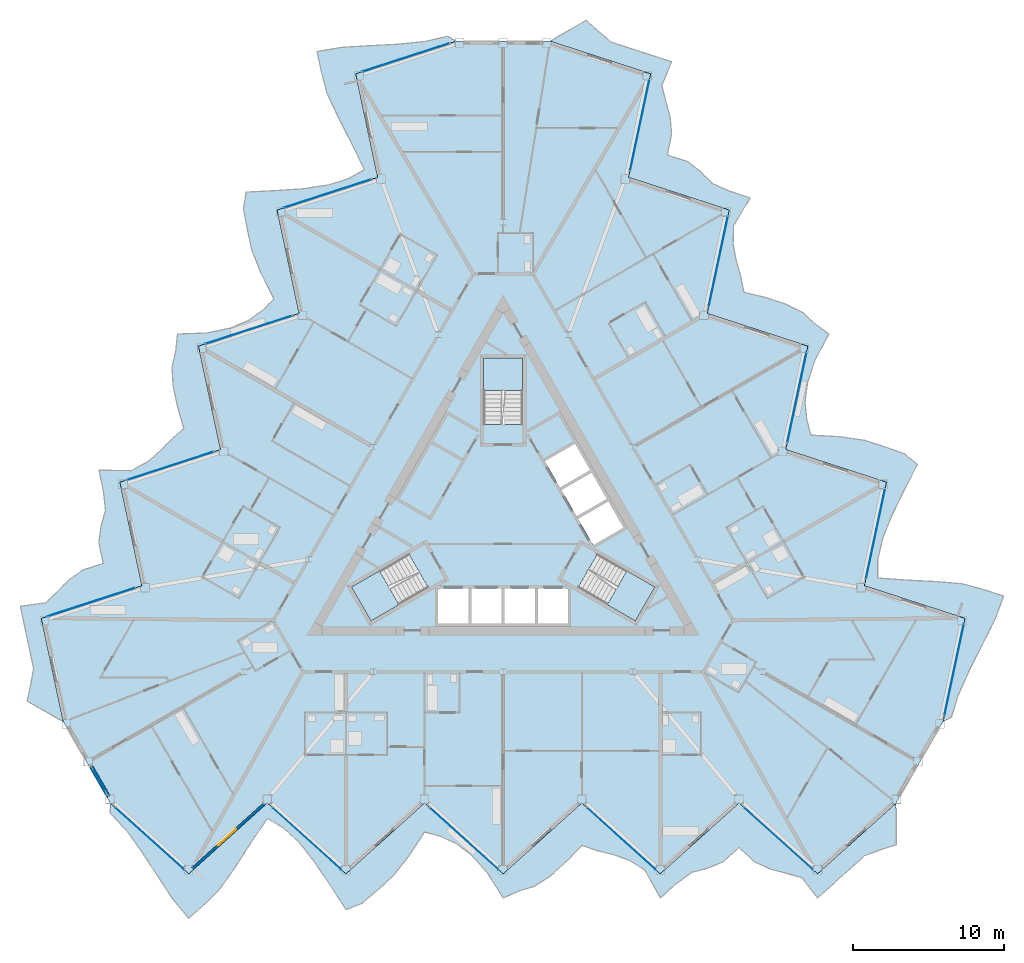
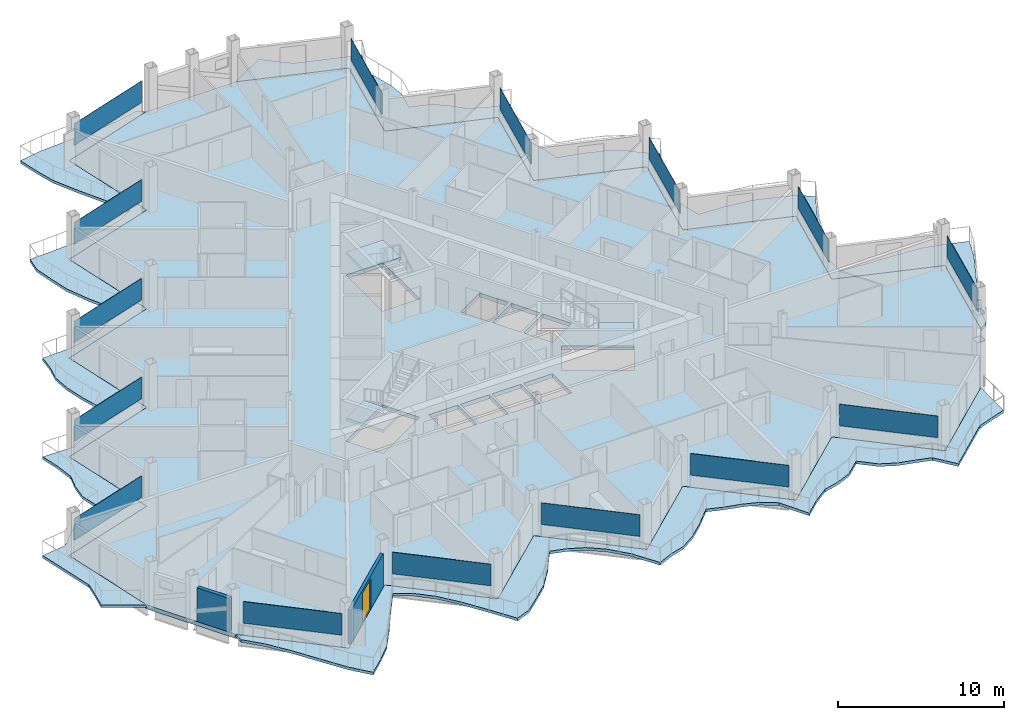
# One storey, part 12 of 27: 15 plates, 7 slabs, 2 walls, 1 door, 1 opening, 18 elements without a shape of their own.
"""IFC4 building model written with IfcOpenShell, lengths in metres."""

from ifc_helpers import new_model, si_unit, direction, frame, frame_2d, origin, origin_2d, place, context, subcontext, project, spatial, polyline, rectangle, outline, extrude, material, layer, layer_set, type_object, element, fill, aggregate, save


model = new_model("IFC4")

# Units and contexts
model_context = context("Model", 3, precision=1e-05, world=origin(), true_north=direction((0.0, 1.0)))
body_context = subcontext(model_context, "Body", "Model", "MODEL_VIEW")
ifc_project = project(units=[si_unit("LENGTHUNIT", "METRE"), si_unit("AREAUNIT", "SQUARE_METRE"), si_unit("VOLUMEUNIT", "CUBIC_METRE"), si_unit("PLANEANGLEUNIT", "RADIAN"), si_unit("MASSUNIT", "GRAM", prefix="KILO")], contexts=[model_context])

# Site, building, storey
site_placement = place(None, origin())
site = spatial("IfcSite", under=ifc_project, at=site_placement, CompositionType="ELEMENT")
building_placement = place(site_placement, origin())
building = spatial("IfcBuilding", under=site, at=building_placement, Name="Cormorant Prow Tower", CompositionType="ELEMENT")
storey_placement = place(building_placement, frame((0.0, 0.0, 332.39990234375)))
storey = spatial("IfcBuildingStorey", under=building, at=storey_placement, Name="L74", CompositionType="ELEMENT", Elevation=332.39990234375)

# Slabs
ifc_material_1 = material(Name="Concrete C40/50", Category="concrete")
ifc_layer_1 = layer(ifc_material_1, 0.199951171875)
ifc_layer_set_1 = layer_set([ifc_layer_1], Name="Concrete C40/50")
slab_type_1 = type_object("IfcSlabType", Name="Balcony slab 200", PredefinedType="FLOOR", material=ifc_layer_set_1)
slab_1_placement = place(storey_placement, frame((0.0, 0.0, -0.199951171875)))
element("IfcSlab", 1, at=slab_1_placement, inside=storey, type_object=slab_type_1, Name="Balcony slab S L74", PredefinedType="FLOOR", context=body_context, shape_type="SweptSolid", body=[
    extrude(outline(polyline([(-25.9814453125, -18.577880859375), (-25.9814453125, -19.227783203125), (-24.942138671875, -20.347412109375), (-23.90283203125, -21.780517578125), (-22.863525390625, -23.380859375), (-21.824462890625, -24.953125), (-20.78515625, -26.20654296875), (-19.745849609375, -25.270751953125), (-18.70654296875, -24.239013671875), (-17.667236328125, -22.7412109375), (-16.628173828125, -21.12841796875), (-15.5888671875, -19.599365234375), (-14.549560546875, -20.199951171875), (-13.51025390625, -21.15771484375), (-12.470947265625, -22.4658203125), (-11.431884765625, -24.0146484375), (-10.392578125, -25.624267578125), (-9.353271484375, -25.224853515625), (-8.31396484375, -24.3349609375), (-7.27490234375, -23.399169921875), (-6.235595703125, -22.078857421875), (-5.1962890625, -20.492919921875), (-4.156982421875, -20.774169921875), (-3.11767578125, -21.2431640625), (-2.07861328125, -22.03759765625), (-1.039306640625, -23.198974609375), (0.0, -24.8564453125), (1.039306640625, -24.396728515625), (2.07861328125, -24.0810546875), (3.11767578125, -23.399169921875), (4.156982421875, -22.463623046875), (5.1962890625, -21.377685546875), (6.235595703125, -21.728271484375), (7.27490234375, -21.986083984375), (8.31396484375, -22.35107421875), (9.353271484375, -22.990478515625), (10.392578125, -24.8564453125), (11.431884765625, -23.9208984375), (12.470947265625, -23.158935546875), (13.51025390625, -22.890869140625), (14.549560546875, -22.463623046875), (15.5888671875, -21.52783203125), (16.628173828125, -22.463623046875), (17.667236328125, -22.945068359375), (18.70654296875, -23.219482421875), (19.745849609375, -23.513427734375), (20.78515625, -24.8564453125), (21.824462890625, -23.9208984375), (22.863525390625, -22.985107421875), (23.90283203125, -22.04931640625), (24.942138671875, -21.669189453125), (25.9814453125, -21.33447265625), (25.9814453125, -18.577880859375), (24.942138671875, -19.513427734375), (23.90283203125, -20.44921875), (22.863525390625, -21.385009765625), (21.824462890625, -22.32080078125), (20.78515625, -23.256591796875), (19.745849609375, -22.32080078125), (18.70654296875, -21.385009765625), (17.667236328125, -20.44921875), (16.628173828125, -19.513427734375), (15.5888671875, -18.577880859375), (14.549560546875, -19.513427734375), (13.51025390625, -20.44921875), (12.470947265625, -21.385009765625), (11.431884765625, -22.32080078125), (10.392578125, -23.256591796875), (9.353271484375, -22.32080078125), (8.31396484375, -21.385009765625), (7.27490234375, -20.44921875), (6.235595703125, -19.513427734375), (5.1962890625, -18.577880859375), (4.156982421875, -19.513427734375), (3.11767578125, -20.44921875), (2.07861328125, -21.385009765625), (1.039306640625, -22.32080078125), (0.0, -23.256591796875), (-1.039306640625, -22.32080078125), (-2.07861328125, -21.385009765625), (-3.11767578125, -20.44921875), (-4.156982421875, -19.513427734375), (-5.1962890625, -18.577880859375), (-6.235595703125, -19.513427734375), (-7.27490234375, -20.44921875), (-8.31396484375, -21.385009765625), (-9.353271484375, -22.32080078125), (-10.392578125, -23.256591796875), (-11.431884765625, -22.32080078125), (-12.470947265625, -21.385009765625), (-13.51025390625, -20.44921875), (-14.549560546875, -19.513427734375), (-15.5888671875, -18.577880859375), (-16.628173828125, -19.513427734375), (-17.667236328125, -20.44921875), (-18.70654296875, -21.385009765625), (-19.745849609375, -22.32080078125), (-20.78515625, -23.256591796875), (-21.824462890625, -22.32080078125), (-22.863525390625, -21.385009765625), (-23.90283203125, -20.44921875), (-24.942138671875, -19.513427734375), (-25.9814453125, -18.577880859375)])), origin(), (0.0, 0.0, 1.0), 0.199951171875),
])
slab_2_placement = place(storey_placement, frame((0.0, 0.0, -0.199951171875)))
element("IfcSlab", 2, at=slab_2_placement, inside=storey, type_object=slab_type_1, Name="Balcony slab ENE L74", PredefinedType="FLOOR", context=body_context, shape_type="SweptSolid", body=[
    extrude(outline(polyline([(29.07958984375, -13.211669921875), (29.642333984375, -12.88671875), (30.09228515625, -11.4267578125), (30.81396484375, -9.810302734375), (31.68017578125, -8.110107421875), (32.522216796875, -6.423828125), (33.088134765625, -4.897216796875), (31.758056640625, -4.465087890625), (30.344970703125, -4.080810546875), (28.5283203125, -3.9296875), (26.61181640625, -3.836181640625), (24.767822265625, -3.70068359375), (24.7685546875, -2.500244140625), (25.078369140625, -1.121337890625), (25.69140625, 0.4326171875), (26.51318359375, 2.107177734375), (27.3876953125, 3.81201171875), (26.52197265625, 4.51220703125), (25.231689453125, 4.96728515625), (23.90185546875, 5.3994140625), (22.23876953125, 5.639404296875), (20.345458984375, 5.746337890625), (20.0693359375, 6.786865234375), (19.9560546875, 7.921630859375), (20.12451171875, 9.21875), (20.610595703125, 10.699462890625), (21.5263671875, 12.42822265625), (20.608642578125, 13.098388671875), (19.815673828125, 13.840576171875), (18.70556640625, 14.399658203125), (17.37548828125, 14.831787109375), (15.91552734375, 15.18896484375), (15.699462890625, 16.26416015625), (15.403076171875, 17.293212890625), (15.199462890625, 18.375732421875), (15.233642578125, 19.595458984375), (16.330078125, 21.428466796875), (15.0, 21.860595703125), (13.82080078125, 22.379638671875), (13.069091796875, 23.145751953125), (12.17919921875, 23.83203125), (10.84912109375, 24.26416015625), (11.139892578125, 25.632080078125), (11.037353515625, 26.77294921875), (10.75537109375, 27.81005859375), (10.490234375, 28.85693359375), (11.1337890625, 30.4287109375), (9.803955078125, 30.86083984375), (8.473876953125, 31.29296875), (7.143798828125, 31.72509765625), (6.294921875, 32.43505859375), (5.485595703125, 33.167724609375), (3.09814453125, 31.789306640625), (4.42822265625, 31.357177734375), (5.758056640625, 30.925048828125), (7.088134765625, 30.492919921875), (8.418212890625, 30.060791015625), (9.748291015625, 29.628662109375), (9.45751953125, 28.2607421875), (9.166748046875, 26.892822265625), (8.8759765625, 25.52490234375), (8.585205078125, 24.156982421875), (8.29443359375, 22.789306640625), (9.62451171875, 22.357177734375), (10.954345703125, 21.9248046875), (12.284423828125, 21.49267578125), (13.614501953125, 21.060546875), (14.944580078125, 20.62841796875), (14.65380859375, 19.260498046875), (14.363037109375, 17.892578125), (14.072265625, 16.52490234375), (13.781494140625, 15.156982421875), (13.49072265625, 13.7890625), (14.82080078125, 13.35693359375), (16.150634765625, 12.9248046875), (17.480712890625, 12.49267578125), (18.810791015625, 12.060302734375), (20.140869140625, 11.628173828125), (19.85009765625, 10.26025390625), (19.559326171875, 8.892578125), (19.2685546875, 7.524658203125), (18.977783203125, 6.15673828125), (18.68701171875, 4.788818359375), (20.01708984375, 4.356689453125), (21.346923828125, 3.924560546875), (22.677001953125, 3.492431640625), (24.007080078125, 3.060302734375), (25.3369140625, 2.628173828125), (25.04638671875, 1.26025390625), (24.755615234375, -0.107666015625), (24.46484375, -1.4755859375), (24.174072265625, -2.843505859375), (23.88330078125, -4.21142578125), (25.21337890625, -4.6435546875), (26.543212890625, -5.07568359375), (27.873291015625, -5.5078125), (29.203369140625, -5.93994140625), (30.533203125, -6.3720703125), (30.242431640625, -7.739990234375), (29.951904296875, -9.10791015625), (29.6611328125, -10.475830078125), (29.370361328125, -11.84375), (29.07958984375, -13.211669921875)])), origin(), (0.0, 0.0, 1.0), 0.199951171875),
])
slab_3_placement = place(storey_placement, frame((0.0, 0.0, -0.199951171875)))
element("IfcSlab", 3, at=slab_3_placement, inside=storey, type_object=slab_type_1, Name="Balcony slab WNW L74", PredefinedType="FLOOR", context=body_context, shape_type="SweptSolid", body=[
    extrude(outline(polyline([(-3.09814453125, 31.789306640625), (-3.6611328125, 32.114501953125), (-5.150146484375, 31.774169921875), (-6.910888671875, 31.5908203125), (-8.816650390625, 31.490966796875), (-10.69775390625, 31.376953125), (-12.302978515625, 31.103759765625), (-12.01220703125, 29.73583984375), (-11.63818359375, 28.31982421875), (-10.86083984375, 26.6708984375), (-9.983642578125, 24.964599609375), (-9.178955078125, 23.300048828125), (-10.218994140625, 22.700439453125), (-11.56787109375, 22.279052734375), (-13.220458984375, 22.033203125), (-15.08154296875, 21.90771484375), (-16.9951171875, 21.8125), (-17.168701171875, 20.712646484375), (-16.917724609375, 19.36767578125), (-16.626953125, 17.999755859375), (-16.003173828125, 16.439697265625), (-15.149169921875, 14.74658203125), (-15.912353515625, 13.987060546875), (-16.83837890625, 13.32177734375), (-18.0458984375, 12.81884765625), (-19.5712890625, 12.49951171875), (-21.5263671875, 12.42822265625), (-21.64794921875, 11.29833984375), (-21.89404296875, 10.240478515625), (-21.8232421875, 8.99951171875), (-21.532470703125, 7.631591796875), (-21.111572265625, 6.188720703125), (-21.934814453125, 5.4638671875), (-22.677978515625, 4.69287109375), (-23.513427734375, 3.975341796875), (-24.5869140625, 3.39501953125), (-26.72265625, 3.427978515625), (-26.431884765625, 2.06005859375), (-26.291748046875, 0.779296875), (-26.579345703125, -0.2548828125), (-26.728759765625, -1.368408203125), (-26.43798828125, -2.736328125), (-27.76806640625, -3.16845703125), (-28.70458984375, -3.827880859375), (-29.4619140625, -4.590576171875), (-30.236083984375, -5.34375), (-31.9189453125, -5.572265625), (-31.628173828125, -6.93994140625), (-31.33740234375, -8.307861328125), (-31.046630859375, -9.67578125), (-31.237060546875, -10.765869140625), (-31.466796875, -11.833251953125), (-29.07958984375, -13.211669921875), (-29.370361328125, -11.84375), (-29.6611328125, -10.475830078125), (-29.951904296875, -9.10791015625), (-30.242431640625, -7.739990234375), (-30.533203125, -6.3720703125), (-29.203369140625, -5.93994140625), (-27.873291015625, -5.5078125), (-26.543212890625, -5.07568359375), (-25.21337890625, -4.6435546875), (-23.88330078125, -4.21142578125), (-24.174072265625, -2.843505859375), (-24.46484375, -1.4755859375), (-24.755615234375, -0.107666015625), (-25.04638671875, 1.26025390625), (-25.3369140625, 2.628173828125), (-24.007080078125, 3.060302734375), (-22.677001953125, 3.492431640625), (-21.346923828125, 3.924560546875), (-20.01708984375, 4.356689453125), (-18.68701171875, 4.788818359375), (-18.977783203125, 6.15673828125), (-19.2685546875, 7.524658203125), (-19.559326171875, 8.892578125), (-19.85009765625, 10.26025390625), (-20.140869140625, 11.628173828125), (-18.810791015625, 12.060302734375), (-17.480712890625, 12.49267578125), (-16.150634765625, 12.9248046875), (-14.82080078125, 13.35693359375), (-13.49072265625, 13.7890625), (-13.781494140625, 15.156982421875), (-14.072265625, 16.52490234375), (-14.363037109375, 17.892578125), (-14.65380859375, 19.260498046875), (-14.944580078125, 20.62841796875), (-13.614501953125, 21.060546875), (-12.284423828125, 21.49267578125), (-10.954345703125, 21.9248046875), (-9.62451171875, 22.357177734375), (-8.29443359375, 22.789306640625), (-8.585205078125, 24.156982421875), (-8.8759765625, 25.52490234375), (-9.166748046875, 26.892822265625), (-9.45751953125, 28.2607421875), (-9.748291015625, 29.628662109375), (-8.418212890625, 30.060791015625), (-7.088134765625, 30.492919921875), (-5.758056640625, 30.925048828125), (-4.42822265625, 31.357177734375), (-3.09814453125, 31.789306640625)])), origin(), (0.0, 0.0, 1.0), 0.199951171875),
])
ifc_material_2 = material(Name="Concrete C40/50", Category="concrete")
ifc_layer_2 = layer(ifc_material_2, 0.300048828125)
ifc_layer_set_2 = layer_set([ifc_layer_2], Name="Concrete C40/50")
slab_type_2 = type_object("IfcSlabType", Name="Post-tensioned flat slab 300", PredefinedType="FLOOR", material=ifc_layer_set_2)
slab_4_placement = place(storey_placement, frame((0.0, 0.0, -0.2998046875)))
element("IfcSlab", 4, at=slab_4_placement, inside=storey, type_object=slab_type_2, Name="Floor slab L74", PredefinedType="FLOOR", context=body_context, shape_type="SweptSolid", body=[
    extrude(outline(polyline([(-8.29443359375, 22.789306640625), (-14.944580078125, 20.62841796875), (-13.49072265625, 13.7890625), (-20.140869140625, 11.628173828125), (-18.68701171875, 4.788818359375), (-25.3369140625, 2.628173828125), (-23.88330078125, -4.21142578125), (-30.533203125, -6.3720703125), (-29.07958984375, -13.211669921875), (-27.530517578125, -15.894775390625), (-25.9814453125, -18.577880859375), (-20.78515625, -23.256591796875), (-15.5888671875, -18.577880859375), (-10.392578125, -23.256591796875), (-5.1962890625, -18.577880859375), (0.0, -23.256591796875), (5.1962890625, -18.577880859375), (10.392578125, -23.256591796875), (15.5888671875, -18.577880859375), (20.78515625, -23.256591796875), (25.9814453125, -18.577880859375), (27.530517578125, -15.894775390625), (29.07958984375, -13.211669921875), (30.533203125, -6.3720703125), (23.88330078125, -4.21142578125), (25.3369140625, 2.628173828125), (18.68701171875, 4.788818359375), (20.140869140625, 11.628173828125), (13.49072265625, 13.7890625), (14.944580078125, 20.62841796875), (8.29443359375, 22.789306640625), (9.748291015625, 29.628662109375), (3.09814453125, 31.789306640625), (0.0, 31.789306640625), (-3.09814453125, 31.789306640625), (-9.748291015625, 29.628662109375), (-8.29443359375, 22.789306640625)]), holes=[polyline([(-4.300048828125, -4.39990234375), (-2.300048828125, -4.39990234375), (-2.300048828125, -6.699951171875), (-4.300048828125, -6.699951171875), (-4.300048828125, -4.39990234375)]), polyline([(-0.10009765625, -4.39990234375), (-0.10009765625, -6.699951171875), (-2.10009765625, -6.699951171875), (-2.10009765625, -4.39990234375), (-0.10009765625, -4.39990234375)]), polyline([(2.10009765625, -6.699951171875), (0.10009765625, -6.699951171875), (0.10009765625, -4.39990234375), (2.10009765625, -4.39990234375), (2.10009765625, -6.699951171875)]), polyline([(2.300048828125, -6.699951171875), (2.300048828125, -4.39990234375), (4.300048828125, -4.39990234375), (4.300048828125, -6.699951171875), (2.300048828125, -6.699951171875)]), polyline([(5.96044921875, -1.52392578125), (4.96044921875, 0.2080078125), (6.952392578125, 1.358154296875), (7.952392578125, -0.373779296875), (5.96044921875, -1.52392578125)]), polyline([(3.860595703125, 2.11328125), (5.852294921875, 3.263427734375), (6.852294921875, 1.53125), (4.860595703125, 0.38134765625), (3.860595703125, 2.11328125)]), polyline([(4.75244140625, 5.168701171875), (5.75244140625, 3.4365234375), (3.760498046875, 2.28662109375), (2.760498046875, 4.018798828125), (4.75244140625, 5.168701171875)]), polyline([(-4.947509765625, -4.3505859375), (-8.738037109375, -6.5390625), (-10.031982421875, -4.2978515625), (-6.241455078125, -2.109375), (-4.947509765625, -4.3505859375)]), polyline([(10.031982421875, -4.2978515625), (8.738037109375, -6.5390625), (4.947509765625, -4.3505859375), (6.241455078125, -2.109375), (10.031982421875, -4.2978515625)]), polyline([(1.2939453125, 10.8369140625), (1.2939453125, 6.459716796875), (-1.2939453125, 6.459716796875), (-1.2939453125, 10.8369140625), (1.2939453125, 10.8369140625)])]), origin(), (0.0, 0.0, 1.0), 0.2998046875),
])

# Curtain wall, plate
ifc_material_3 = material(Name="Aluminium 6063-T6", Category="aluminium")
ifc_layer_3 = layer(ifc_material_3, 0.159912109375)
ifc_layer_set_3 = layer_set([ifc_layer_3], Name="Aluminium 6063-T6")
curtain_wall_type = type_object("IfcCurtainWallType", Name="Residential unitised curtain wall 160", PredefinedType="NOTDEFINED", material=ifc_layer_set_3)
curtain_wall_1_placement = place(storey_placement, origin())
curtain_wall_1 = element("IfcCurtainWall", 5, at=curtain_wall_1_placement, inside=storey, type_object=curtain_wall_type, Name="Residential curtain wall S00", PredefinedType="NOTDEFINED")
ifc_material_4 = material(Name="Clear glass", Category="glass")
ifc_layer_4 = layer(ifc_material_4, 0.02392578125)
ifc_layer_set_4 = layer_set([ifc_layer_4], Name="Clear glass")
plate_type = type_object("IfcPlateType", Name="Residential glass panel 24", PredefinedType="CURTAIN_PANEL", material=ifc_layer_set_4)
plate_1_placement = place(storey_placement, frame((-23.36474609375, -20.933837890625, 0.900146484375), z_axis=(0.0, 0.0, 1.0), x_axis=(0.743144841442, -0.669130588628, 0.0)))
plate_1 = element("IfcPlate", 6, at=plate_1_placement, type_object=plate_type, Name="Residential glass panel S00", PredefinedType="CURTAIN_PANEL", context=body_context, shape_type="SweptSolid", body=[
    extrude(rectangle(XDim=6.07421875, YDim=0.02392578125, at=origin_2d()), origin(), (0.0, 0.0, 1.0), 1.587890625),
])
aggregate(curtain_wall_1, [plate_1])

curtain_wall_2_placement = place(storey_placement, origin())
curtain_wall_2 = element("IfcCurtainWall", 7, at=curtain_wall_2_placement, inside=storey, type_object=curtain_wall_type, Name="Residential curtain wall S02", PredefinedType="NOTDEFINED")
plate_2_placement = place(storey_placement, frame((-12.97216796875, -20.933837890625, 0.900146484375), z_axis=(0.0, 0.0, 1.0), x_axis=(0.743144841442, -0.669130588628, 0.0)))
plate_2 = element("IfcPlate", 8, at=plate_2_placement, type_object=plate_type, Name="Residential glass panel S02", PredefinedType="CURTAIN_PANEL", context=body_context, shape_type="SweptSolid", body=[
    extrude(rectangle(XDim=6.07421875, YDim=0.02392578125, at=origin_2d()), origin(), (0.0, 0.0, 1.0), 1.587890625),
])
aggregate(curtain_wall_2, [plate_2])

curtain_wall_3_placement = place(storey_placement, origin())
curtain_wall_3 = element("IfcCurtainWall", 9, at=curtain_wall_3_placement, inside=storey, type_object=curtain_wall_type, Name="Residential curtain wall S04", PredefinedType="NOTDEFINED")
plate_3_placement = place(storey_placement, frame((-2.57958984375, -20.933837890625, 0.900146484375), z_axis=(0.0, 0.0, 1.0), x_axis=(0.743144841442, -0.669130588628, 0.0)))
plate_3 = element("IfcPlate", 10, at=plate_3_placement, type_object=plate_type, Name="Residential glass panel S04", PredefinedType="CURTAIN_PANEL", context=body_context, shape_type="SweptSolid", body=[
    extrude(rectangle(XDim=6.07421875, YDim=0.02392578125, at=origin_2d()), origin(), (0.0, 0.0, 1.0), 1.587890625),
])
aggregate(curtain_wall_3, [plate_3])

curtain_wall_4_placement = place(storey_placement, origin())
curtain_wall_4 = element("IfcCurtainWall", 11, at=curtain_wall_4_placement, inside=storey, type_object=curtain_wall_type, Name="Residential curtain wall S06", PredefinedType="NOTDEFINED")
plate_4_placement = place(storey_placement, frame((7.81298828125, -20.933837890625, 0.900146484375), z_axis=(0.0, 0.0, 1.0), x_axis=(0.743144841442, -0.669130588628, 0.0)))
plate_4 = element("IfcPlate", 12, at=plate_4_placement, type_object=plate_type, Name="Residential glass panel S06", PredefinedType="CURTAIN_PANEL", context=body_context, shape_type="SweptSolid", body=[
    extrude(rectangle(XDim=6.07421875, YDim=0.02392578125, at=origin_2d()), origin(), (0.0, 0.0, 1.0), 1.587890625),
])
aggregate(curtain_wall_4, [plate_4])

curtain_wall_5_placement = place(storey_placement, origin())
curtain_wall_5 = element("IfcCurtainWall", 13, at=curtain_wall_5_placement, inside=storey, type_object=curtain_wall_type, Name="Residential curtain wall S08", PredefinedType="NOTDEFINED")
plate_5_placement = place(storey_placement, frame((18.20556640625, -20.933837890625, 0.900146484375), z_axis=(0.0, 0.0, 1.0), x_axis=(0.743144841442, -0.669130588628, 0.0)))
plate_5 = element("IfcPlate", 14, at=plate_5_placement, type_object=plate_type, Name="Residential glass panel S08", PredefinedType="CURTAIN_PANEL", context=body_context, shape_type="SweptSolid", body=[
    extrude(rectangle(XDim=6.07421875, YDim=0.02392578125, at=origin_2d()), origin(), (0.0, 0.0, 1.0), 1.587890625),
])
aggregate(curtain_wall_5, [plate_5])

curtain_wall_6_placement = place(storey_placement, origin())
curtain_wall_6 = element("IfcCurtainWall", 15, at=curtain_wall_6_placement, inside=storey, type_object=curtain_wall_type, Name="Residential curtain wall ENE00", PredefinedType="NOTDEFINED")
plate_6_placement = place(storey_placement, frame((29.8115234375, -9.767333984375, 0.900146484375), z_axis=(0.0, 0.0, 1.0), x_axis=(0.207911593013, 0.978147621523, 0.0)))
plate_6 = element("IfcPlate", 16, at=plate_6_placement, type_object=plate_type, Name="Residential glass panel ENE00", PredefinedType="CURTAIN_PANEL", context=body_context, shape_type="SweptSolid", body=[
    extrude(rectangle(XDim=6.07421875, YDim=0.02392578125, at=origin_2d()), origin(), (0.0, 0.0, 1.0), 1.587890625),
])
aggregate(curtain_wall_6, [plate_6])

curtain_wall_7_placement = place(storey_placement, origin())
curtain_wall_7 = element("IfcCurtainWall", 17, at=curtain_wall_7_placement, inside=storey, type_object=curtain_wall_type, Name="Residential curtain wall ENE02", PredefinedType="NOTDEFINED")
plate_7_placement = place(storey_placement, frame((24.615234375, -0.767333984375, 0.900146484375), z_axis=(0.0, 0.0, 1.0), x_axis=(0.207911729844, 0.978147592438, 0.0)))
plate_7 = element("IfcPlate", 18, at=plate_7_placement, type_object=plate_type, Name="Residential glass panel ENE02", PredefinedType="CURTAIN_PANEL", context=body_context, shape_type="SweptSolid", body=[
    extrude(rectangle(XDim=6.07421875, YDim=0.02392578125, at=origin_2d()), origin(), (0.0, 0.0, 1.0), 1.587890625),
])
aggregate(curtain_wall_7, [plate_7])

curtain_wall_8_placement = place(storey_placement, origin())
curtain_wall_8 = element("IfcCurtainWall", 19, at=curtain_wall_8_placement, inside=storey, type_object=curtain_wall_type, Name="Residential curtain wall ENE04", PredefinedType="NOTDEFINED")
plate_8_placement = place(storey_placement, frame((19.4189453125, 8.23291015625, 0.900146484375), z_axis=(0.0, 0.0, 1.0), x_axis=(0.207911729844, 0.978147592438, 0.0)))
plate_8 = element("IfcPlate", 20, at=plate_8_placement, type_object=plate_type, Name="Residential glass panel ENE04", PredefinedType="CURTAIN_PANEL", context=body_context, shape_type="SweptSolid", body=[
    extrude(rectangle(XDim=6.07421875, YDim=0.02392578125, at=origin_2d()), origin(), (0.0, 0.0, 1.0), 1.587890625),
])
aggregate(curtain_wall_8, [plate_8])

curtain_wall_9_placement = place(storey_placement, origin())
curtain_wall_9 = element("IfcCurtainWall", 21, at=curtain_wall_9_placement, inside=storey, type_object=curtain_wall_type, Name="Residential curtain wall ENE06", PredefinedType="NOTDEFINED")
plate_9_placement = place(storey_placement, frame((14.222900390625, 17.233154296875, 0.900146484375), z_axis=(0.0, 0.0, 1.0), x_axis=(0.207911729844, 0.978147592438, 0.0)))
plate_9 = element("IfcPlate", 22, at=plate_9_placement, type_object=plate_type, Name="Residential glass panel ENE06", PredefinedType="CURTAIN_PANEL", context=body_context, shape_type="SweptSolid", body=[
    extrude(rectangle(XDim=6.07421875, YDim=0.02392578125, at=origin_2d()), origin(), (0.0, 0.0, 1.0), 1.587890625),
])
aggregate(curtain_wall_9, [plate_9])

curtain_wall_10_placement = place(storey_placement, origin())
curtain_wall_10 = element("IfcCurtainWall", 23, at=curtain_wall_10_placement, inside=storey, type_object=curtain_wall_type, Name="Residential curtain wall ENE08", PredefinedType="NOTDEFINED")
plate_10_placement = place(storey_placement, frame((9.026611328125, 26.2333984375, 0.900146484375), z_axis=(0.0, 0.0, 1.0), x_axis=(0.207911700771, 0.978147598618, 0.0)))
plate_10 = element("IfcPlate", 24, at=plate_10_placement, type_object=plate_type, Name="Residential glass panel ENE08", PredefinedType="CURTAIN_PANEL", context=body_context, shape_type="SweptSolid", body=[
    extrude(rectangle(XDim=6.07421875, YDim=0.02392578125, at=origin_2d()), origin(), (0.0, 0.0, 1.0), 1.587890625),
])
aggregate(curtain_wall_10, [plate_10])

curtain_wall_11_placement = place(storey_placement, origin())
curtain_wall_11 = element("IfcCurtainWall", 25, at=curtain_wall_11_placement, inside=storey, type_object=curtain_wall_type, Name="Residential curtain wall WNW00", PredefinedType="NOTDEFINED")
plate_11_placement = place(storey_placement, frame((-6.447021484375, 30.701416015625, 0.900146484375), z_axis=(0.0, 0.0, 1.0), x_axis=(-0.951056554167, -0.309016877816, 0.0)))
plate_11 = element("IfcPlate", 26, at=plate_11_placement, type_object=plate_type, Name="Residential glass panel WNW00", PredefinedType="CURTAIN_PANEL", context=body_context, shape_type="SweptSolid", body=[
    extrude(rectangle(XDim=6.07421875, YDim=0.02392578125, at=origin_2d()), origin(), (0.0, 0.0, 1.0), 1.587890625),
])
aggregate(curtain_wall_11, [plate_11])

curtain_wall_12_placement = place(storey_placement, origin())
curtain_wall_12 = element("IfcCurtainWall", 27, at=curtain_wall_12_placement, inside=storey, type_object=curtain_wall_type, Name="Residential curtain wall WNW02", PredefinedType="NOTDEFINED")
plate_12_placement = place(storey_placement, frame((-11.643310546875, 21.701171875, 0.900146484375), z_axis=(0.0, 0.0, 1.0), x_axis=(-0.951056512137, -0.309017007173, 0.0)))
plate_12 = element("IfcPlate", 28, at=plate_12_placement, type_object=plate_type, Name="Residential glass panel WNW02", PredefinedType="CURTAIN_PANEL", context=body_context, shape_type="SweptSolid", body=[
    extrude(rectangle(XDim=6.07421875, YDim=0.02392578125, at=origin_2d()), origin(), (0.0, 0.0, 1.0), 1.587890625),
])
aggregate(curtain_wall_12, [plate_12])

curtain_wall_13_placement = place(storey_placement, origin())
curtain_wall_13 = element("IfcCurtainWall", 29, at=curtain_wall_13_placement, inside=storey, type_object=curtain_wall_type, Name="Residential curtain wall WNW04", PredefinedType="NOTDEFINED")
plate_13_placement = place(storey_placement, frame((-16.839599609375, 12.700927734375, 0.900146484375), z_axis=(0.0, 0.0, 1.0), x_axis=(-0.951056512137, -0.309017007173, 0.0)))
plate_13 = element("IfcPlate", 30, at=plate_13_placement, type_object=plate_type, Name="Residential glass panel WNW04", PredefinedType="CURTAIN_PANEL", context=body_context, shape_type="SweptSolid", body=[
    extrude(rectangle(XDim=6.07421875, YDim=0.02392578125, at=origin_2d()), origin(), (0.0, 0.0, 1.0), 1.587890625),
])
aggregate(curtain_wall_13, [plate_13])

curtain_wall_14_placement = place(storey_placement, origin())
curtain_wall_14 = element("IfcCurtainWall", 31, at=curtain_wall_14_placement, inside=storey, type_object=curtain_wall_type, Name="Residential curtain wall WNW06", PredefinedType="NOTDEFINED")
plate_14_placement = place(storey_placement, frame((-22.035888671875, 3.70068359375, 0.900146484375), z_axis=(0.0, 0.0, 1.0), x_axis=(-0.951056512137, -0.309017007173, 0.0)))
plate_14 = element("IfcPlate", 32, at=plate_14_placement, type_object=plate_type, Name="Residential glass panel WNW06", PredefinedType="CURTAIN_PANEL", context=body_context, shape_type="SweptSolid", body=[
    extrude(rectangle(XDim=6.07421875, YDim=0.02392578125, at=origin_2d()), origin(), (0.0, 0.0, 1.0), 1.587890625),
])
aggregate(curtain_wall_14, [plate_14])

curtain_wall_15_placement = place(storey_placement, origin())
curtain_wall_15 = element("IfcCurtainWall", 33, at=curtain_wall_15_placement, inside=storey, type_object=curtain_wall_type, Name="Residential curtain wall WNW08", PredefinedType="NOTDEFINED")
plate_15_placement = place(storey_placement, frame((-27.23193359375, -5.299560546875, 0.900146484375), z_axis=(0.0, 0.0, 1.0), x_axis=(-0.951056512137, -0.309017007173, 0.0)))
plate_15 = element("IfcPlate", 34, at=plate_15_placement, type_object=plate_type, Name="Residential glass panel WNW08", PredefinedType="CURTAIN_PANEL", context=body_context, shape_type="SweptSolid", body=[
    extrude(rectangle(XDim=6.07421875, YDim=0.02392578125, at=origin_2d()), origin(), (0.0, 0.0, 1.0), 1.587890625),
])
aggregate(curtain_wall_15, [plate_15])

# Stair, slab
ifc_material_5 = material(Name="Exit stair 18 risers")
stair_type = type_object("IfcStairType", Name="Exit stair 18 risers", PredefinedType="HALF_TURN_STAIR", material=ifc_material_5)
stair_1_placement = place(storey_placement, origin())
stair_1 = element("IfcStair", 35, at=stair_1_placement, inside=storey, type_object=stair_type, Name="L74 Exit stair ST1", PredefinedType="HALF_TURN_STAIR")
ifc_material_6 = material(Name="Concrete 5000 psi", Category="concrete")
ifc_layer_5 = layer(ifc_material_6, 0.199951171875)
ifc_layer_set_5 = layer_set([ifc_layer_5], Name="Concrete 5000 psi")
slab_type_3 = type_object("IfcSlabType", Name="Stair landing 200", PredefinedType="LANDING", material=ifc_layer_set_5)
slab_5_placement = place(storey_placement, frame((0.0, 0.0, 1.5)))
slab_5 = element("IfcSlab", 36, at=slab_5_placement, type_object=slab_type_3, Name="ST1 landing 1", PredefinedType="LANDING", context=body_context, shape_type="SweptSolid", body=[
    extrude(outline(polyline([(-8.17431640625, -3.225341796875), (-10.031982421875, -4.2978515625), (-8.738037109375, -6.5390625), (-6.88037109375, -5.466552734375), (-8.17431640625, -3.225341796875)])), origin(), (0.0, 0.0, 1.0), 0.2001953125),
])
aggregate(stair_1, [slab_5])

stair_2_placement = place(storey_placement, origin())
stair_2 = element("IfcStair", 37, at=stair_2_placement, inside=storey, type_object=stair_type, Name="L74 Exit stair ST2", PredefinedType="HALF_TURN_STAIR")
slab_6_placement = place(storey_placement, frame((0.0, 0.0, 1.5)))
slab_6 = element("IfcSlab", 38, at=slab_6_placement, type_object=slab_type_3, Name="ST2 landing 1", PredefinedType="LANDING", context=body_context, shape_type="SweptSolid", body=[
    extrude(outline(polyline([(6.88037109375, -5.466552734375), (8.738037109375, -6.5390625), (10.031982421875, -4.2978515625), (8.17431640625, -3.225341796875), (6.88037109375, -5.466552734375)])), origin(), (0.0, 0.0, 1.0), 0.2001953125),
])
aggregate(stair_2, [slab_6])

stair_3_placement = place(storey_placement, origin())
stair_3 = element("IfcStair", 39, at=stair_3_placement, inside=storey, type_object=stair_type, Name="L74 Exit stair ST3", PredefinedType="HALF_TURN_STAIR")
slab_7_placement = place(storey_placement, frame((0.0, 0.0, 1.5)))
slab_7 = element("IfcSlab", 40, at=slab_7_placement, type_object=slab_type_3, Name="ST3 landing 1", PredefinedType="LANDING", context=body_context, shape_type="SweptSolid", body=[
    extrude(outline(polyline([(1.2939453125, 8.69189453125), (1.2939453125, 10.8369140625), (-1.2939453125, 10.8369140625), (-1.2939453125, 8.69189453125), (1.2939453125, 8.69189453125)])), origin(), (0.0, 0.0, 1.0), 0.2001953125),
])
aggregate(stair_3, [slab_7])

# Wall
ifc_material_7 = material(Name="Terracotta", Category="masonry")
ifc_layer_6 = layer(ifc_material_7, 0.25)
ifc_layer_set_6 = layer_set([ifc_layer_6], Name="Terracotta")
wall_type_1 = type_object("IfcWallType", Name="Terracotta bay wall 250", PredefinedType="SOLIDWALL", material=ifc_layer_set_6)
wall_1_placement = place(storey_placement, frame((-27.218994140625, -16.184326171875, 0.0), z_axis=(0.0, 0.0, 1.0), x_axis=(0.500046963369, -0.865998287773, 0.0)))
element("IfcWall", 41, at=wall_1_placement, inside=storey, type_object=wall_type_1, Name="Terracotta bay wall WSW01", PredefinedType="SOLIDWALL", context=body_context, shape_type="SweptSolid", body=[
    extrude(rectangle(XDim=2.257568359375, YDim=0.25, at=frame_2d((1.12890625, 0.0))), origin(), (0.0, 0.0, 1.0), 2.488037109375),
])

# Wall, opening, door
ifc_material_8 = material(Name="Terracotta", Category="masonry")
ifc_layer_7 = layer(ifc_material_8, 0.199951171875)
ifc_layer_set_7 = layer_set([ifc_layer_7], Name="Terracotta")
wall_type_2 = type_object("IfcWallType", Name="Terracotta jamb wall 200", PredefinedType="SOLIDWALL", material=ifc_layer_set_7)
wall_2_placement = place(storey_placement, frame((-20.529541015625, -22.891845703125, 0.0), z_axis=(0.0, 0.0, 1.0), x_axis=(0.743134328827, 0.669142263887, 0.0)))
wall_2 = element("IfcWall", 42, at=wall_2_placement, inside=storey, type_object=wall_type_2, Name="Terracotta jamb wall S01", PredefinedType="SOLIDWALL", context=body_context, shape_type="SweptSolid", body=[
    extrude(rectangle(XDim=6.305419921875, YDim=0.199951171875, at=frame_2d((3.15283203125, 0.0))), origin(), (0.0, 0.0, 1.0), 2.488037109375),
])
opening_placement = place(wall_2_placement, frame((2.26220703125, 0.0, 0.0)))
opening = element("IfcOpeningElement", 43, at=opening_placement, cuts=wall_2, Name="Opening ED74.01", PredefinedType="OPENING", context=body_context, shape_type="SweptSolid", body=[
    extrude(rectangle(XDim=1.60009765625, YDim=2.25, at=frame_2d((0.800048828125, 1.125))), frame((0.0, 0.10986328125, 0.0), z_axis=(0.0, -1.0, 0.0), x_axis=(1.0, 0.0, 0.0)), (0.0, 0.0, 1.0), 0.219970703125),
])
ifc_material_9 = material(Name="Aluminium 6063-T6", Category="aluminium")
door_type = type_object("IfcDoorType", Name="Balcony door 1600x2250", OperationType="DOUBLE_DOOR_SINGLE_SWING", PredefinedType="DOOR", material=ifc_material_9)
door_placement = place(opening_placement, origin())
door = element("IfcDoor", 44, at=door_placement, inside=storey, type_object=door_type, Name="Balcony door S01 ED74.01", OperationType="DOUBLE_DOOR_SINGLE_SWING", OverallHeight=2.25, OverallWidth=1.60009765625, PredefinedType="DOOR", context=body_context, shape_type="SweptSolid", body=[
    extrude(rectangle(XDim=1.60009765625, YDim=2.25, at=frame_2d((0.800048828125, 1.125))), frame((0.0, 0.02490234375, 0.0), z_axis=(0.0, -1.0, 0.0), x_axis=(1.0, 0.0, 0.0)), (0.0, 0.0, 1.0), 0.050048828125),
])
fill(opening, door)

save(model, "model.ifc")
